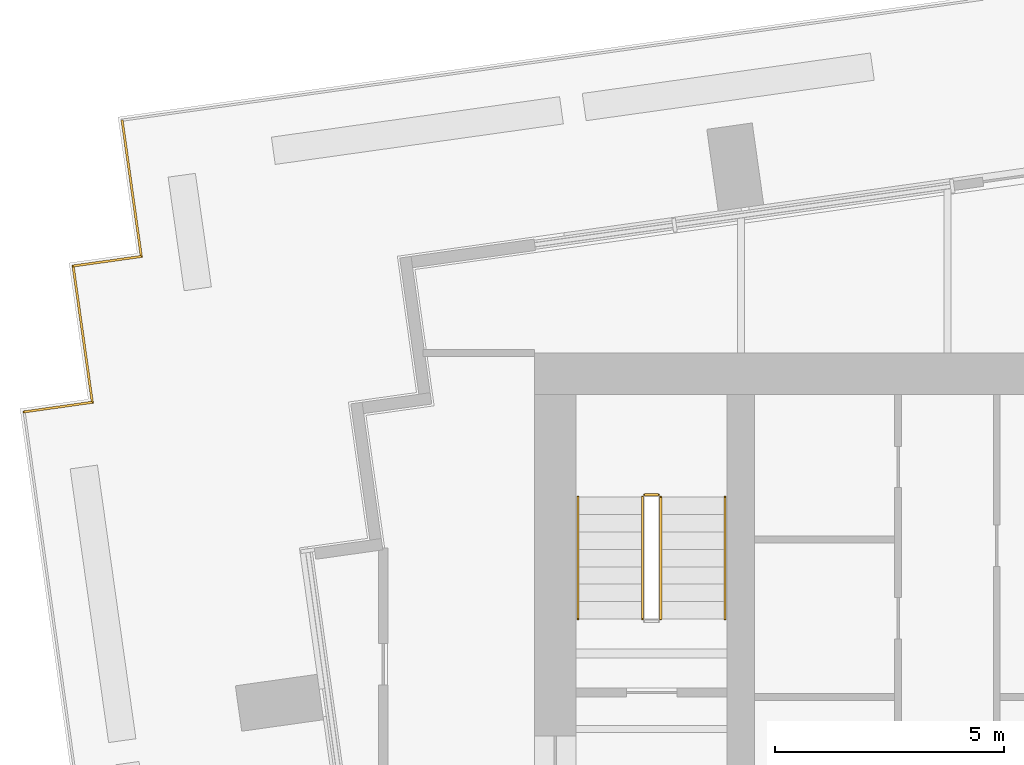
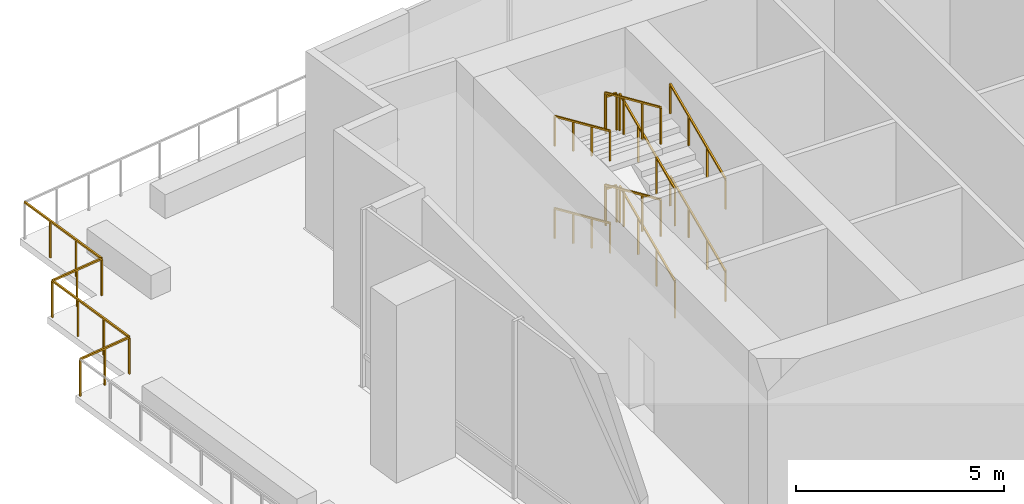
# One storey, part 14 of 18: 14 railings.
"""IFC4 building model written with IfcOpenShell, lengths in metres."""

import ifcopenshell
import ifcopenshell.guid

model = None  # the IFC model being written
_history = None  # IfcOwnerHistory: only IFC2X3 demands one
_inside = {}  # id of a spatial element -> (the spatial element, [elements in it])
_under = {}  # id of a project, library or spatial element -> (it, [spatial elements below it])
_declared = {}  # id of a project -> (the project, [libraries it declares])
_typed = {}  # id of a type object -> (the type object, [elements of that type])
_made_of = {}  # id of a material, layer set ... -> (it, [elements and type objects made of it])


def new_model(schema):
    """Start an empty IFC model of exactly this schema.

    Asked for "IFC4X3", IfcOpenShell would pick the latest addendum, in which some entities
    have other attributes; the version numbers below select the first issue.
    IFC2X3 requires an IfcOwnerHistory on every rooted entity: one is made here for all.
    """
    global model, _history
    if schema == "IFC4X3":
        model = ifcopenshell.file(schema_version=(4, 3, 0, 0))
    else:
        model = ifcopenshell.file(schema=schema)
    _inside.clear()
    _under.clear()
    _declared.clear()
    _typed.clear()
    _made_of.clear()
    _history = None
    if model.schema == "IFC2X3":
        org = make("IfcOrganization", Name="unknown")
        user = make(
            "IfcPersonAndOrganization",
            ThePerson=make("IfcPerson", FamilyName="unknown"),
            TheOrganization=org,
        )
        app = make(
            "IfcApplication",
            ApplicationDeveloper=org,
            Version="unknown",
            ApplicationFullName="unknown",
            ApplicationIdentifier="unknown",
        )
        _history = make(
            "IfcOwnerHistory",
            OwningUser=user,
            OwningApplication=app,
            ChangeAction="ADDED",
            CreationDate=0,
        )
    return model


def make(cls, **values):
    """One entity of the class cls with the attributes given. An attribute that is None is left unset."""
    return model.create_entity(
        cls, **{name: value for name, value in values.items() if value is not None}
    )


def rooted(cls, **values):
    """An entity with a GlobalId (a new one), such as an element, a storey or a relation."""
    return make(cls, GlobalId=ifcopenshell.guid.new(), OwnerHistory=_history, **values)


def si_unit(unit_type, name, prefix=None):
    """IfcSIUnit, for example si_unit("LENGTHUNIT", "METRE", prefix="MILLI")."""
    return make("IfcSIUnit", UnitType=unit_type, Prefix=prefix, Name=name)


def assignment(units):
    """IfcUnitAssignment: the units of a project."""
    return None if units is None else make("IfcUnitAssignment", Units=units)


def point(xyz):
    """IfcCartesianPoint."""
    return None if xyz is None else make("IfcCartesianPoint", Coordinates=xyz)


def direction(xyz):
    """IfcDirection."""
    return None if xyz is None else make("IfcDirection", DirectionRatios=xyz)


def frame(location, z_axis=None, x_axis=None):
    """IfcAxis2Placement3D, a coordinate frame: its origin and axes. An axis left out is left unset."""
    return make(
        "IfcAxis2Placement3D",
        Location=point(location),
        Axis=direction(z_axis),
        RefDirection=direction(x_axis),
    )


def frame_2d(location, x_axis=None):
    """IfcAxis2Placement2D, a coordinate frame in the plane: its origin and x axis."""
    return make(
        "IfcAxis2Placement2D", Location=point(location), RefDirection=direction(x_axis)
    )


def origin():
    """The frame at (0, 0, 0) with its axes left unset."""
    return frame((0.0, 0.0, 0.0))


def origin_2d():
    """The frame at (0, 0) in the plane with its x axis left unset."""
    return frame_2d((0.0, 0.0))


def place(relative_to, where):
    """IfcLocalPlacement: puts the frame where relative to a parent placement (None: the world)."""
    return make(
        "IfcLocalPlacement", PlacementRelTo=relative_to, RelativePlacement=where
    )


def context(
    kind, dimensions, precision=None, world=None, true_north=None, identifier=None
):
    """IfcGeometricRepresentationContext, for example the 3D "Model" context."""
    return make(
        "IfcGeometricRepresentationContext",
        ContextIdentifier=identifier,
        ContextType=kind,
        CoordinateSpaceDimension=dimensions,
        Precision=precision,
        WorldCoordinateSystem=world,
        TrueNorth=true_north,
    )


def subcontext(parent, identifier, kind, view, scale=None):
    """IfcGeometricRepresentationSubContext, for example "Body" below "Model"."""
    return make(
        "IfcGeometricRepresentationSubContext",
        ContextIdentifier=identifier,
        ContextType=kind,
        ParentContext=parent,
        TargetScale=scale,
        TargetView=view,
    )


def project(units=None, contexts=None):
    """IfcProject with its units and contexts."""
    return rooted(
        "IfcProject",
        Name="project",
        RepresentationContexts=contexts,
        UnitsInContext=assignment(units),
    )


def spatial(cls, under=None, at=None, **own):
    """A site, building, storey or space (cls), placed at a placement, below another one or the project."""
    s = rooted(cls, ObjectPlacement=at, **own)
    if under is not None:
        _under.setdefault(under.id(), (under, []))[1].append(s)
    return s


def profile(cls, at=None, kind="AREA", **sizes):
    """A parametric profile (cls). Its sizes go by their IFC names, for example OverallWidth=200.0."""
    return make(cls, ProfileType=kind, Position=at, **sizes)


def rectangle(**sizes):
    """IfcRectangleProfileDef."""
    return profile("IfcRectangleProfileDef", **sizes)


def extrude(swept, where, along, depth):
    """IfcExtrudedAreaSolid: the profile swept, set in the frame where, extruded along a direction by depth."""
    return make(
        "IfcExtrudedAreaSolid",
        SweptArea=swept,
        Position=where,
        ExtrudedDirection=direction(along),
        Depth=depth,
    )


def shape(context_of_items, identifier, shape_type, items):
    """IfcShapeRepresentation: the items that make up one representation, for example the "Body"."""
    return make(
        "IfcShapeRepresentation",
        ContextOfItems=context_of_items,
        RepresentationIdentifier=identifier,
        RepresentationType=shape_type,
        Items=items,
    )


def material(Name=None, Category=None):
    """IfcMaterial."""
    return make("IfcMaterial", Name=Name, Category=Category)


def made_of(thing, what):
    """Note that an element or type object is made of a material, layer set ...; save() writes the relation."""
    if what is not None:
        _made_of.setdefault(what.id(), (what, []))[1].append(thing)
    return thing


def type_object(cls, material=None, **own):
    """A type object (cls), such as IfcWallType, which elements share."""
    return made_of(rooted(cls, **own), material)


def element(
    cls,
    number,
    at=None,
    inside=None,
    cuts=None,
    type_object=None,
    material=None,
    context=None,
    identifier="Body",
    shape_type=None,
    held_by="IfcProductDefinitionShape",
    body=None,
    shapes=None,
    **own,
):
    """One element of the class cls, such as IfcWall. Its Tag is "e" and its number.

    at: its placement. inside: the storey or other place that contains it. cuts: it is an
    opening in that element (IfcRelVoidsElement). A single representation is given by context,
    identifier, shape_type and body (its items); several are given by shapes. held_by: the class
    of the entity that holds the representations. save() writes the other relations.
    """
    e = rooted(cls, Tag="e%d" % number, ObjectPlacement=at, **own)
    if body is not None:
        shapes = [shape(context, identifier, shape_type, body)]
    if shapes is not None:
        e.Representation = make(held_by, Representations=shapes)
    if inside is not None:
        _inside.setdefault(inside.id(), (inside, []))[1].append(e)
    if cuts is not None:
        rooted(
            "IfcRelVoidsElement", RelatingBuildingElement=cuts, RelatedOpeningElement=e
        )
    if type_object is not None:
        _typed.setdefault(type_object.id(), (type_object, []))[1].append(e)
    return made_of(e, material)


def aggregate(whole, parts):
    """IfcRelAggregates: a whole, such as a stair, and the parts it consists of."""
    return rooted("IfcRelAggregates", RelatingObject=whole, RelatedObjects=parts)


def save(model, path):
    """Write the relations noted so far, then the file.

    IfcRelAggregates (storeys below a building ...), IfcRelContainedInSpatialStructure (elements
    in a storey), IfcRelDefinesByType, IfcRelAssociatesMaterial and IfcRelDeclares: one each for
    every whole, place, type object, material and project.
    """
    for whole, parts in _under.values():
        aggregate(whole, parts)
    for where, things in _inside.values():
        rooted(
            "IfcRelContainedInSpatialStructure",
            RelatedElements=things,
            RelatingStructure=where,
        )
    for kind, things in _typed.values():
        rooted("IfcRelDefinesByType", RelatedObjects=things, RelatingType=kind)
    for what, things in _made_of.values():
        rooted("IfcRelAssociatesMaterial", RelatedObjects=things, RelatingMaterial=what)
    for by, libraries in _declared.values():
        rooted("IfcRelDeclares", RelatingContext=by, RelatedDefinitions=libraries)
    model.write(path)


model = new_model("IFC4")

# Units and contexts
model_context = context("Model", 3, precision=1e-05, world=origin(), true_north=direction((0.0, 1.0)))
body_context = subcontext(model_context, "Body", "Model", "MODEL_VIEW")
ifc_project = project(units=[si_unit("LENGTHUNIT", "METRE"), si_unit("AREAUNIT", "SQUARE_METRE"), si_unit("VOLUMEUNIT", "CUBIC_METRE"), si_unit("PLANEANGLEUNIT", "RADIAN"), si_unit("MASSUNIT", "GRAM", prefix="KILO")], contexts=[model_context])

# Site, building, storey
site_placement = place(None, origin())
site = spatial("IfcSite", under=ifc_project, at=site_placement, CompositionType="ELEMENT")
building_placement = place(site_placement, origin())
building = spatial("IfcBuilding", under=site, at=building_placement, Name="Rattan Terrace Tower", CompositionType="ELEMENT")
storey_placement = place(building_placement, frame((0.0, 0.0, 208.10009765625)))
storey = spatial("IfcBuildingStorey", under=building, at=storey_placement, Name="L47", CompositionType="ELEMENT", Elevation=208.10009765625)

# Railings
ifc_material_1 = material(Name="Powder-coated steel guard", Category="steel")
railing_type_1 = type_object("IfcRailingType", Name="Core stair guard", PredefinedType="GUARDRAIL", material=ifc_material_1)
railing_1_placement = place(storey_placement, frame((-15.25, 1.699951171875, 0.168701171875)))
element("IfcRailing", 1, at=railing_1_placement, inside=storey, type_object=railing_type_1, Name="L47 S1 stair guard 1", PredefinedType="GUARDRAIL", context=body_context, shape_type="SweptSolid", body=[
    extrude(rectangle(XDim=0.048095703125, YDim=0.048095703125, at=origin_2d()), frame((0.0, 0.0, 1.076171875), z_axis=(0.0, 0.913956766905, 0.405811567391), x_axis=(-1.0, 0.0, 0.0)), (0.0, 0.0, 1.0), 2.91064453125),
    extrude(rectangle(XDim=0.0419921875, YDim=0.0419921875, at=origin_2d()), origin(), (0.0, 0.0, 1.0), 1.052001953125),
    extrude(rectangle(XDim=0.0419921875, YDim=0.0419921875, at=origin_2d()), frame((0.0, 0.88671875, 0.393798828125)), (0.0, 0.0, 1.0), 1.052001953125),
    extrude(rectangle(XDim=0.0419921875, YDim=0.0419921875, at=origin_2d()), frame((0.0, 1.7734375, 0.787353515625)), (0.0, 0.0, 1.0), 1.052001953125),
    extrude(rectangle(XDim=0.0419921875, YDim=0.0419921875, at=origin_2d()), frame((0.0, 2.66015625, 1.18115234375)), (0.0, 0.0, 1.0), 1.052001953125),
])
railing_2_placement = place(storey_placement, frame((-15.300048828125, 4.409912109375, 1.349853515625)))
element("IfcRailing", 2, at=railing_2_placement, inside=storey, type_object=railing_type_1, Name="L47 S1 stair guard 2", PredefinedType="GUARDRAIL", context=body_context, shape_type="SweptSolid", body=[
    extrude(rectangle(XDim=0.048095703125, YDim=0.048095703125, at=origin_2d()), frame((0.0, 0.0, 1.076171875), z_axis=(-1.0, 0.0, 0.0), x_axis=(0.0, -1.0, 0.0)), (0.0, 0.0, 1.0), 0.300048828125),
    extrude(rectangle(XDim=0.0419921875, YDim=0.0419921875, at=origin_2d()), origin(), (0.0, 0.0, 1.0), 1.052001953125),
    extrude(rectangle(XDim=0.0419921875, YDim=0.0419921875, at=origin_2d()), frame((-0.300048828125, 0.0, 0.0)), (0.0, 0.0, 1.0), 1.052001953125),
])
railing_3_placement = place(storey_placement, frame((-15.64990234375, 4.360107421875, 1.5185546875)))
element("IfcRailing", 3, at=railing_3_placement, inside=storey, type_object=railing_type_1, Name="L47 S1 stair guard 3", PredefinedType="GUARDRAIL", context=body_context, shape_type="SweptSolid", body=[
    extrude(rectangle(XDim=0.048095703125, YDim=0.048095703125, at=origin_2d()), frame((0.0, 0.0, 1.076171875), z_axis=(0.0, -0.913925654661, 0.405881630223), x_axis=(1.0, 0.0, 0.0)), (0.0, 0.0, 1.0), 2.91064453125),
    extrude(rectangle(XDim=0.0419921875, YDim=0.0419921875, at=origin_2d()), origin(), (0.0, 0.0, 1.0), 1.052001953125),
    extrude(rectangle(XDim=0.0419921875, YDim=0.0419921875, at=origin_2d()), frame((0.0, -0.88671875, 0.393798828125)), (0.0, 0.0, 1.0), 1.052001953125),
    extrude(rectangle(XDim=0.0419921875, YDim=0.0419921875, at=origin_2d()), frame((0.0, -1.7734375, 0.78759765625)), (0.0, 0.0, 1.0), 1.052001953125),
    extrude(rectangle(XDim=0.0419921875, YDim=0.0419921875, at=origin_2d()), frame((0.0, -2.66015625, 1.181396484375)), (0.0, 0.0, 1.0), 1.052001953125),
])
railing_4_placement = place(storey_placement, frame((-15.25, 1.699951171875, 2.86865234375)))
element("IfcRailing", 4, at=railing_4_placement, inside=storey, type_object=railing_type_1, Name="L47 S1 stair guard 5", PredefinedType="GUARDRAIL", context=body_context, shape_type="SweptSolid", body=[
    extrude(rectangle(XDim=0.048095703125, YDim=0.048095703125, at=origin_2d()), frame((0.0, 0.0, 1.076171875), z_axis=(0.0, 0.913956766905, 0.405811567391), x_axis=(-1.0, 0.0, 0.0)), (0.0, 0.0, 1.0), 2.91064453125),
    extrude(rectangle(XDim=0.0419921875, YDim=0.0419921875, at=origin_2d()), origin(), (0.0, 0.0, 1.0), 1.052001953125),
    extrude(rectangle(XDim=0.0419921875, YDim=0.0419921875, at=origin_2d()), frame((0.0, 0.88671875, 0.393798828125)), (0.0, 0.0, 1.0), 1.052001953125),
    extrude(rectangle(XDim=0.0419921875, YDim=0.0419921875, at=origin_2d()), frame((0.0, 1.7734375, 0.787353515625)), (0.0, 0.0, 1.0), 1.052001953125),
    extrude(rectangle(XDim=0.0419921875, YDim=0.0419921875, at=origin_2d()), frame((0.0, 2.66015625, 1.18115234375)), (0.0, 0.0, 1.0), 1.052001953125),
])
railing_5_placement = place(storey_placement, frame((-15.300048828125, 4.409912109375, 4.0498046875)))
element("IfcRailing", 5, at=railing_5_placement, inside=storey, type_object=railing_type_1, Name="L47 S1 stair guard 6", PredefinedType="GUARDRAIL", context=body_context, shape_type="SweptSolid", body=[
    extrude(rectangle(XDim=0.048095703125, YDim=0.048095703125, at=origin_2d()), frame((0.0, 0.0, 1.076171875), z_axis=(-1.0, 0.0, 0.0), x_axis=(0.0, -1.0, 0.0)), (0.0, 0.0, 1.0), 0.300048828125),
    extrude(rectangle(XDim=0.0419921875, YDim=0.0419921875, at=origin_2d()), origin(), (0.0, 0.0, 1.0), 1.052001953125),
    extrude(rectangle(XDim=0.0419921875, YDim=0.0419921875, at=origin_2d()), frame((-0.300048828125, 0.0, 0.0)), (0.0, 0.0, 1.0), 1.052001953125),
])
railing_6_placement = place(storey_placement, frame((-15.64990234375, 4.360107421875, 4.21875)))
element("IfcRailing", 6, at=railing_6_placement, inside=storey, type_object=railing_type_1, Name="L47 S1 stair guard 7", PredefinedType="GUARDRAIL", context=body_context, shape_type="SweptSolid", body=[
    extrude(rectangle(XDim=0.048095703125, YDim=0.048095703125, at=origin_2d()), frame((0.0, 0.0, 1.076171875), z_axis=(0.0, -0.913956766905, 0.405811567391), x_axis=(1.0, 0.0, 0.0)), (0.0, 0.0, 1.0), 2.91064453125),
    extrude(rectangle(XDim=0.0419921875, YDim=0.0419921875, at=origin_2d()), origin(), (0.0, 0.0, 1.0), 1.052001953125),
    extrude(rectangle(XDim=0.0419921875, YDim=0.0419921875, at=origin_2d()), frame((0.0, -0.88671875, 0.393798828125)), (0.0, 0.0, 1.0), 1.052001953125),
    extrude(rectangle(XDim=0.0419921875, YDim=0.0419921875, at=origin_2d()), frame((0.0, -1.7734375, 0.787353515625)), (0.0, 0.0, 1.0), 1.052001953125),
    extrude(rectangle(XDim=0.0419921875, YDim=0.0419921875, at=origin_2d()), frame((0.0, -2.66015625, 1.18115234375)), (0.0, 0.0, 1.0), 1.052001953125),
])
ifc_material_2 = material(Name="Powder-coated steel handrail", Category="steel")
railing_type_2 = type_object("IfcRailingType", Name="Core stair handrail", PredefinedType="HANDRAIL", material=ifc_material_2)
railing_7_placement = place(storey_placement, frame((-13.85009765625, 1.699951171875, 0.168701171875)))
element("IfcRailing", 7, at=railing_7_placement, inside=storey, type_object=railing_type_2, Name="L47 S1 stair handrail 1", PredefinedType="HANDRAIL", context=body_context, shape_type="SweptSolid", body=[
    extrude(rectangle(XDim=0.048095703125, YDim=0.048095703125, at=origin_2d()), frame((0.0, 0.0, 0.8759765625), z_axis=(0.0, 0.913956766905, 0.405811567391), x_axis=(-1.0, 0.0, 0.0)), (0.0, 0.0, 1.0), 2.91064453125),
    extrude(rectangle(XDim=0.0419921875, YDim=0.0419921875, at=origin_2d()), origin(), (0.0, 0.0, 1.0), 0.851806640625),
    extrude(rectangle(XDim=0.0419921875, YDim=0.0419921875, at=origin_2d()), frame((0.0, 0.88671875, 0.393798828125)), (0.0, 0.0, 1.0), 0.851806640625),
    extrude(rectangle(XDim=0.0419921875, YDim=0.0419921875, at=origin_2d()), frame((0.0, 1.7734375, 0.787353515625)), (0.0, 0.0, 1.0), 0.851806640625),
    extrude(rectangle(XDim=0.0419921875, YDim=0.0419921875, at=origin_2d()), frame((0.0, 2.66015625, 1.18115234375)), (0.0, 0.0, 1.0), 0.851806640625),
])
railing_8_placement = place(storey_placement, frame((-17.050048828125, 4.360107421875, 1.5185546875)))
element("IfcRailing", 8, at=railing_8_placement, inside=storey, type_object=railing_type_2, Name="L47 S1 stair handrail 2", PredefinedType="HANDRAIL", context=body_context, shape_type="SweptSolid", body=[
    extrude(rectangle(XDim=0.048095703125, YDim=0.048095703125, at=origin_2d()), frame((0.0, 0.0, 0.8759765625), z_axis=(0.0, -0.913925654661, 0.405881630223), x_axis=(1.0, 0.0, 0.0)), (0.0, 0.0, 1.0), 2.91064453125),
    extrude(rectangle(XDim=0.0419921875, YDim=0.0419921875, at=origin_2d()), origin(), (0.0, 0.0, 1.0), 0.851806640625),
    extrude(rectangle(XDim=0.0419921875, YDim=0.0419921875, at=origin_2d()), frame((0.0, -0.88671875, 0.393798828125)), (0.0, 0.0, 1.0), 0.851806640625),
    extrude(rectangle(XDim=0.0419921875, YDim=0.0419921875, at=origin_2d()), frame((0.0, -1.7734375, 0.78759765625)), (0.0, 0.0, 1.0), 0.851806640625),
    extrude(rectangle(XDim=0.0419921875, YDim=0.0419921875, at=origin_2d()), frame((0.0, -2.66015625, 1.181396484375)), (0.0, 0.0, 1.0), 0.851806640625),
])
railing_9_placement = place(storey_placement, frame((-13.85009765625, 1.699951171875, 2.86865234375)))
element("IfcRailing", 9, at=railing_9_placement, inside=storey, type_object=railing_type_2, Name="L47 S1 stair handrail 3", PredefinedType="HANDRAIL", context=body_context, shape_type="SweptSolid", body=[
    extrude(rectangle(XDim=0.048095703125, YDim=0.048095703125, at=origin_2d()), frame((0.0, 0.0, 0.8759765625), z_axis=(0.0, 0.913956766905, 0.405811567391), x_axis=(-1.0, 0.0, 0.0)), (0.0, 0.0, 1.0), 2.91064453125),
    extrude(rectangle(XDim=0.0419921875, YDim=0.0419921875, at=origin_2d()), origin(), (0.0, 0.0, 1.0), 0.851806640625),
    extrude(rectangle(XDim=0.0419921875, YDim=0.0419921875, at=origin_2d()), frame((0.0, 0.88671875, 0.393798828125)), (0.0, 0.0, 1.0), 0.851806640625),
    extrude(rectangle(XDim=0.0419921875, YDim=0.0419921875, at=origin_2d()), frame((0.0, 1.7734375, 0.787353515625)), (0.0, 0.0, 1.0), 0.851806640625),
    extrude(rectangle(XDim=0.0419921875, YDim=0.0419921875, at=origin_2d()), frame((0.0, 2.66015625, 1.18115234375)), (0.0, 0.0, 1.0), 0.851806640625),
])
railing_10_placement = place(storey_placement, frame((-17.050048828125, 4.360107421875, 4.21875)))
element("IfcRailing", 10, at=railing_10_placement, inside=storey, type_object=railing_type_2, Name="L47 S1 stair handrail 4", PredefinedType="HANDRAIL", context=body_context, shape_type="SweptSolid", body=[
    extrude(rectangle(XDim=0.048095703125, YDim=0.048095703125, at=origin_2d()), frame((0.0, 0.0, 0.8759765625), z_axis=(0.0, -0.913956766905, 0.405811567391), x_axis=(1.0, 0.0, 0.0)), (0.0, 0.0, 1.0), 2.91064453125),
    extrude(rectangle(XDim=0.0419921875, YDim=0.0419921875, at=origin_2d()), origin(), (0.0, 0.0, 1.0), 0.851806640625),
    extrude(rectangle(XDim=0.0419921875, YDim=0.0419921875, at=origin_2d()), frame((0.0, -0.88671875, 0.393798828125)), (0.0, 0.0, 1.0), 0.851806640625),
    extrude(rectangle(XDim=0.0419921875, YDim=0.0419921875, at=origin_2d()), frame((0.0, -1.7734375, 0.787353515625)), (0.0, 0.0, 1.0), 0.851806640625),
    extrude(rectangle(XDim=0.0419921875, YDim=0.0419921875, at=origin_2d()), frame((0.0, -2.66015625, 1.18115234375)), (0.0, 0.0, 1.0), 0.851806640625),
])
ifc_material_3 = material(Name="Stainless steel 316", Category="steel")
railing_type_3 = type_object("IfcRailingType", Name="Facade Guard 1100", PredefinedType="GUARDRAIL", material=ifc_material_3)
railing_11_placement = place(storey_placement, frame((-29.1259765625, 6.216064453125, 0.0)))
element("IfcRailing", 11, at=railing_11_placement, inside=storey, type_object=railing_type_3, Name="Terrace guard L47-1-8", PredefinedType="GUARDRAIL", context=body_context, shape_type="SweptSolid", body=[
    extrude(rectangle(XDim=0.048095703125, YDim=0.048095703125, at=origin_2d()), frame((0.0, 0.0, 1.076171875), z_axis=(0.990256228307, 0.13925732404, 0.0), x_axis=(-0.13925732404, 0.990256228307, 0.0)), (0.0, 0.0, 1.0), 1.500732421875),
    extrude(rectangle(XDim=0.0419921875, YDim=0.0419921875, at=origin_2d()), origin(), (0.0, 0.0, 1.0), 1.052001953125),
    extrude(rectangle(XDim=0.0419921875, YDim=0.0419921875, at=origin_2d()), frame((0.7431640625, 0.1044921875, 0.0)), (0.0, 0.0, 1.0), 1.052001953125),
])
railing_12_placement = place(storey_placement, frame((-27.639892578125, 6.425048828125, 0.0)))
element("IfcRailing", 12, at=railing_12_placement, inside=storey, type_object=railing_type_3, Name="Terrace guard L47-1-9", PredefinedType="GUARDRAIL", context=body_context, shape_type="SweptSolid", body=[
    extrude(rectangle(XDim=0.048095703125, YDim=0.048095703125, at=origin_2d()), frame((0.0, 0.0, 1.076171875), z_axis=(-0.139393225799, 0.990237107263, 0.0), x_axis=(-0.990237107263, -0.139393225799, 0.0)), (0.0, 0.0, 1.0), 3.000244140625),
    extrude(rectangle(XDim=0.0419921875, YDim=0.0419921875, at=origin_2d()), origin(), (0.0, 0.0, 1.0), 1.052001953125),
    extrude(rectangle(XDim=0.0419921875, YDim=0.0419921875, at=origin_2d()), frame((-0.139404296875, 0.990234375, 0.0)), (0.0, 0.0, 1.0), 1.052001953125),
    extrude(rectangle(XDim=0.0419921875, YDim=0.0419921875, at=origin_2d()), frame((-0.27880859375, 1.980712890625, 0.0)), (0.0, 0.0, 1.0), 1.052001953125),
])
railing_13_placement = place(storey_placement, frame((-28.05810546875, 9.39599609375, 0.0)))
element("IfcRailing", 13, at=railing_13_placement, inside=storey, type_object=railing_type_3, Name="Terrace guard L47-1-10", PredefinedType="GUARDRAIL", context=body_context, shape_type="SweptSolid", body=[
    extrude(rectangle(XDim=0.048095703125, YDim=0.048095703125, at=origin_2d()), frame((0.0, 0.0, 1.076171875), z_axis=(0.990345767445, 0.138619121712, 0.0), x_axis=(-0.138619121712, 0.990345767445, 0.0)), (0.0, 0.0, 1.0), 1.50048828125),
    extrude(rectangle(XDim=0.0419921875, YDim=0.0419921875, at=origin_2d()), origin(), (0.0, 0.0, 1.0), 1.052001953125),
    extrude(rectangle(XDim=0.0419921875, YDim=0.0419921875, at=origin_2d()), frame((0.7431640625, 0.10400390625, 0.0)), (0.0, 0.0, 1.0), 1.052001953125),
])
railing_14_placement = place(storey_placement, frame((-26.572021484375, 9.60400390625, 0.0)))
element("IfcRailing", 14, at=railing_14_placement, inside=storey, type_object=railing_type_3, Name="Terrace guard L47-1-11", PredefinedType="GUARDRAIL", context=body_context, shape_type="SweptSolid", body=[
    extrude(rectangle(XDim=0.048095703125, YDim=0.048095703125, at=origin_2d()), frame((0.0, 0.0, 1.076171875), z_axis=(-0.139313431826, 0.990248336385, 0.0), x_axis=(-0.990248336385, -0.139313431826, 0.0)), (0.0, 0.0, 1.0), 3.000244140625),
    extrude(rectangle(XDim=0.0419921875, YDim=0.0419921875, at=origin_2d()), origin(), (0.0, 0.0, 1.0), 1.052001953125),
    extrude(rectangle(XDim=0.0419921875, YDim=0.0419921875, at=origin_2d()), frame((-0.139404296875, 0.990234375, 0.0)), (0.0, 0.0, 1.0), 1.052001953125),
    extrude(rectangle(XDim=0.0419921875, YDim=0.0419921875, at=origin_2d()), frame((-0.278564453125, 1.980712890625, 0.0)), (0.0, 0.0, 1.0), 1.052001953125),
])

save(model, "model.ifc")
